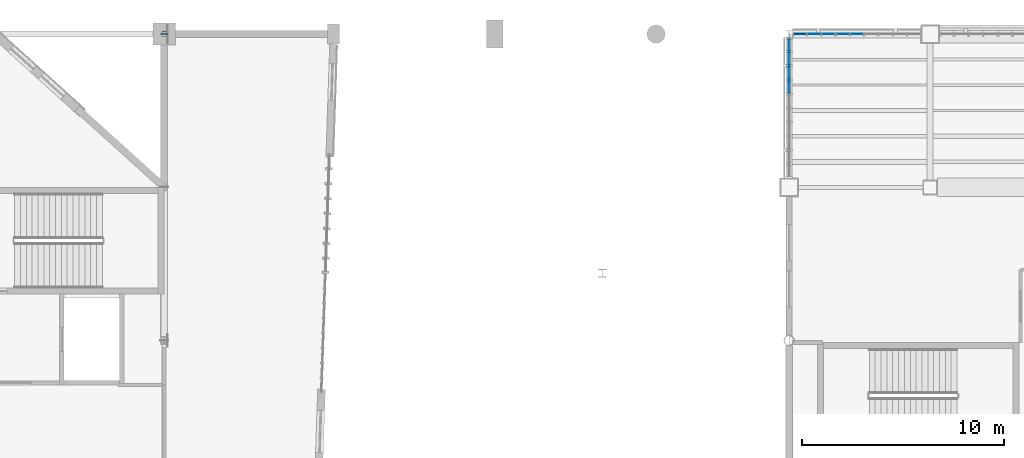
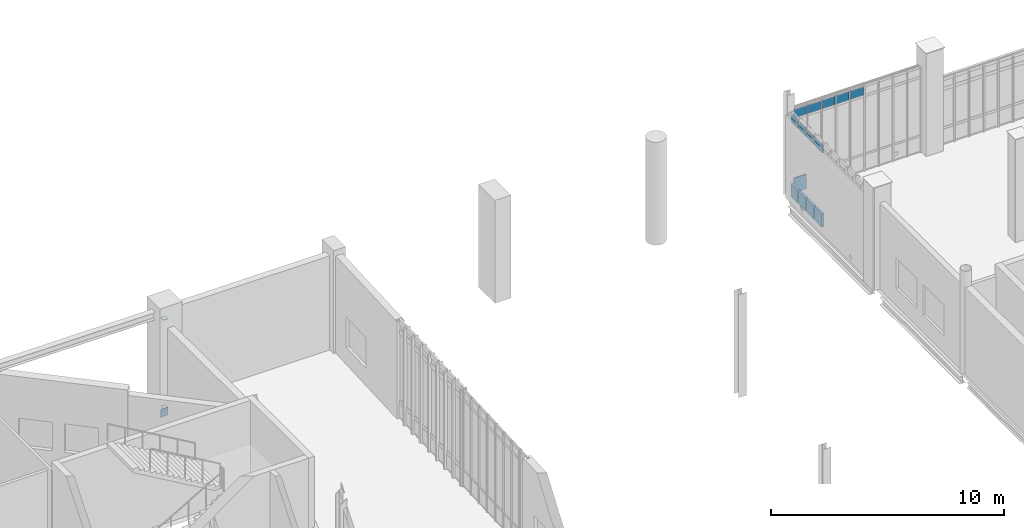
# One storey, part 102 of 127: 17 plates, 2 elements without a shape of their own.
"""IFC4 building model written with IfcOpenShell, lengths in metres."""

from ifc_helpers import new_model, si_unit, direction, frame, origin, origin_2d, place, context, subcontext, project, spatial, rectangle, extrude, material, layer, layer_set, type_object, element, aggregate, save


model = new_model("IFC4")

# Units and contexts
model_context = context("Model", 3, precision=1e-05, world=origin(), true_north=direction((0.0, 1.0)))
body_context = subcontext(model_context, "Body", "Model", "MODEL_VIEW")
ifc_project = project(units=[si_unit("LENGTHUNIT", "METRE"), si_unit("AREAUNIT", "SQUARE_METRE"), si_unit("VOLUMEUNIT", "CUBIC_METRE"), si_unit("PLANEANGLEUNIT", "RADIAN"), si_unit("MASSUNIT", "GRAM", prefix="KILO")], contexts=[model_context])

# Site, building, storey
site_placement = place(None, origin())
site = spatial("IfcSite", under=ifc_project, at=site_placement, CompositionType="ELEMENT")
building_placement = place(site_placement, origin())
building = spatial("IfcBuilding", under=site, at=building_placement, Name="Larkvane Passage Sports Hall", CompositionType="ELEMENT")
storey_placement = place(building_placement, frame((0.0, 0.0, 5.39990234375)))
storey = spatial("IfcBuildingStorey", under=building, at=storey_placement, Name="L01", CompositionType="ELEMENT", Elevation=5.39990234375)

# Curtain wall, plates
ifc_material_1 = material(Name="Thermally broken aluminium and low-E glazing", Category="aluminium")
curtain_wall_type_1 = type_object("IfcCurtainWallType", Name="CW-CLINIC", PredefinedType="USERDEFINED", material=ifc_material_1)
curtain_wall_1_placement = place(storey_placement, origin())
curtain_wall_1 = element("IfcCurtainWall", 1, at=curtain_wall_1_placement, inside=storey, type_object=curtain_wall_type_1, Name="Curtain wall CW5-L01-051", ObjectType="UNITISED CURTAIN WALL", PredefinedType="USERDEFINED")
ifc_material_2 = material(Name="Deep insulated facade spandrel panel")
ifc_layer_1 = layer(ifc_material_2, 0.125)
ifc_layer_set_1 = layer_set([ifc_layer_1], Name="Deep insulated facade spandrel panel")
plate_type_1 = type_object("IfcPlateType", Name="CWP-SPD-125", PredefinedType="CURTAIN_PANEL", material=ifc_layer_set_1)
plate_1_placement = place(storey_placement, frame((124.60009765625, 96.5849609375, 0.10009765625), z_axis=(0.0, 0.0, 1.0), x_axis=(0.0, 1.0, 0.0)))
plate_1 = element("IfcPlate", 2, at=plate_1_placement, type_object=plate_type_1, Name="CW-05 panel 7.1", PredefinedType="CURTAIN_PANEL", context=body_context, shape_type="SweptSolid", body=[
    extrude(rectangle(XDim=0.598388671875, YDim=0.125, at=origin_2d()), origin(), (0.0, 0.0, 1.0), 0.699951171875),
])
plate_2_placement = place(storey_placement, frame((124.60009765625, 97.283203125, 0.10009765625), z_axis=(0.0, 0.0, 1.0), x_axis=(0.0, 1.0, 0.0)))
plate_2 = element("IfcPlate", 3, at=plate_2_placement, type_object=plate_type_1, Name="CW-05 panel 8.1", PredefinedType="CURTAIN_PANEL", context=body_context, shape_type="SweptSolid", body=[
    extrude(rectangle(XDim=0.598388671875, YDim=0.125, at=origin_2d()), origin(), (0.0, 0.0, 1.0), 0.699951171875),
])
plate_3_placement = place(storey_placement, frame((124.60009765625, 97.9814453125, 0.10009765625), z_axis=(0.0, 0.0, 1.0), x_axis=(0.0, 1.0, 0.0)))
plate_3 = element("IfcPlate", 4, at=plate_3_placement, type_object=plate_type_1, Name="CW-05 panel 9.1", PredefinedType="CURTAIN_PANEL", context=body_context, shape_type="SweptSolid", body=[
    extrude(rectangle(XDim=0.598388671875, YDim=0.125, at=origin_2d()), origin(), (0.0, 0.0, 1.0), 0.699951171875),
])
plate_4_placement = place(storey_placement, frame((124.60009765625, 98.65478515625, 0.10009765625), z_axis=(0.0, 0.0, 1.0), x_axis=(0.0, 1.0, 0.0)))
plate_4 = element("IfcPlate", 5, at=plate_4_placement, type_object=plate_type_1, Name="CW-05 panel 10.1", PredefinedType="CURTAIN_PANEL", context=body_context, shape_type="SweptSolid", body=[
    extrude(rectangle(XDim=0.54833984375, YDim=0.125, at=origin_2d()), origin(), (0.0, 0.0, 1.0), 0.699951171875),
])

curtain_wall_type_2 = type_object("IfcCurtainWallType", Name="CW-UNIT-COURT", PredefinedType="USERDEFINED", material=ifc_material_1)
curtain_wall_2_placement = place(storey_placement, origin())
curtain_wall_2 = element("IfcCurtainWall", 6, at=curtain_wall_2_placement, inside=storey, type_object=curtain_wall_type_2, Name="Curtain wall CW5-L01-052", ObjectType="UNITISED CURTAIN WALL", PredefinedType="USERDEFINED")
ifc_material_3 = material(Name="Insulated aluminium spandrel panel", Category="aluminium")
ifc_layer_2 = layer(ifc_material_3, 0.06494140625)
ifc_layer_set_2 = layer_set([ifc_layer_2], Name="Insulated aluminium spandrel panel")
plate_type_2 = type_object("IfcPlateType", Name="CWP-SPD-65", PredefinedType="CURTAIN_PANEL", material=ifc_layer_set_2)
plate_5_placement = place(storey_placement, frame((125.140625, 99.199951171875, 0.06005859375), z_axis=(0.0, 0.0, 1.0), x_axis=(1.0, 0.0, 0.0)))
plate_5 = element("IfcPlate", 7, at=plate_5_placement, type_object=plate_type_2, Name="CW-01 panel 1.1", PredefinedType="CURTAIN_PANEL", context=body_context, shape_type="SweptSolid", body=[
    extrude(rectangle(XDim=0.619140625, YDim=0.06494140625, at=origin_2d()), origin(), (0.0, 0.0, 1.0), 0.760009765625),
])
ifc_material_4 = material(Name="Solar-control low-E double glazing", Category="glass")
ifc_layer_3 = layer(ifc_material_4, 0.028076171875)
ifc_layer_set_3 = layer_set([ifc_layer_3], Name="Solar-control low-E double glazing")
plate_type_3 = type_object("IfcPlateType", Name="CWP-VIS-28", PredefinedType="CURTAIN_PANEL", material=ifc_layer_set_3)
plate_6_placement = place(storey_placement, frame((125.140625, 99.199951171875, 3.960205078125), z_axis=(0.0, 0.0, 1.0), x_axis=(1.0, 0.0, 0.0)))
plate_6 = element("IfcPlate", 8, at=plate_6_placement, type_object=plate_type_3, Name="CW-01 panel 1.3", PredefinedType="CURTAIN_PANEL", context=body_context, shape_type="SweptSolid", body=[
    extrude(rectangle(XDim=0.619140625, YDim=0.028076171875, at=origin_2d()), origin(), (0.0, 0.0, 1.0), 0.4599609375),
])
plate_7_placement = place(storey_placement, frame((125.834716796875, 99.199951171875, 3.960205078125), z_axis=(0.0, 0.0, 1.0), x_axis=(1.0, 0.0, 0.0)))
plate_7 = element("IfcPlate", 9, at=plate_7_placement, type_object=plate_type_3, Name="CW-01 panel 2.3", PredefinedType="CURTAIN_PANEL", context=body_context, shape_type="SweptSolid", body=[
    extrude(rectangle(XDim=0.649169921875, YDim=0.028076171875, at=origin_2d()), origin(), (0.0, 0.0, 1.0), 0.4599609375),
])
plate_8_placement = place(storey_placement, frame((126.5439453125, 99.199951171875, 3.960205078125), z_axis=(0.0, 0.0, 1.0), x_axis=(1.0, 0.0, 0.0)))
plate_8 = element("IfcPlate", 10, at=plate_8_placement, type_object=plate_type_3, Name="CW-01 panel 3.3", PredefinedType="CURTAIN_PANEL", context=body_context, shape_type="SweptSolid", body=[
    extrude(rectangle(XDim=0.649169921875, YDim=0.028076171875, at=origin_2d()), origin(), (0.0, 0.0, 1.0), 0.4599609375),
])
plate_9_placement = place(storey_placement, frame((127.253173828125, 99.199951171875, 3.960205078125), z_axis=(0.0, 0.0, 1.0), x_axis=(1.0, 0.0, 0.0)))
plate_9 = element("IfcPlate", 11, at=plate_9_placement, type_object=plate_type_3, Name="CW-01 panel 4.3", PredefinedType="CURTAIN_PANEL", context=body_context, shape_type="SweptSolid", body=[
    extrude(rectangle(XDim=0.649169921875, YDim=0.028076171875, at=origin_2d()), origin(), (0.0, 0.0, 1.0), 0.4599609375),
])
plate_10_placement = place(storey_placement, frame((127.96240234375, 99.199951171875, 3.960205078125), z_axis=(0.0, 0.0, 1.0), x_axis=(1.0, 0.0, 0.0)))
plate_10 = element("IfcPlate", 12, at=plate_10_placement, type_object=plate_type_3, Name="CW-01 panel 5.3", PredefinedType="CURTAIN_PANEL", context=body_context, shape_type="SweptSolid", body=[
    extrude(rectangle(XDim=0.649169921875, YDim=0.028076171875, at=origin_2d()), origin(), (0.0, 0.0, 1.0), 0.4599609375),
])
aggregate(curtain_wall_2, [plate_5, plate_6, plate_7, plate_8, plate_9, plate_10])

# Plate
ifc_material_5 = material(Name="Triple-laminated typhoon glazing", Category="glass")
ifc_layer_4 = layer(ifc_material_5, 0.0419921875)
ifc_layer_set_4 = layer_set([ifc_layer_4], Name="Triple-laminated typhoon glazing")
plate_type_4 = type_object("IfcPlateType", Name="CWP-VIS-42", PredefinedType="CURTAIN_PANEL", material=ifc_layer_set_4)
plate_11_placement = place(storey_placement, frame((124.60009765625, 96.5849609375, 3.980224609375), z_axis=(0.0, 0.0, 1.0), x_axis=(0.0, 1.0, 0.0)))
plate_11 = element("IfcPlate", 13, at=plate_11_placement, type_object=plate_type_4, Name="CW-05 panel 7.3", PredefinedType="CURTAIN_PANEL", context=body_context, shape_type="SweptSolid", body=[
    extrude(rectangle(XDim=0.598388671875, YDim=0.0419921875, at=origin_2d()), origin(), (0.0, 0.0, 1.0), 0.39990234375),
])

plate_12_placement = place(storey_placement, frame((124.60009765625, 97.283203125, 3.980224609375), z_axis=(0.0, 0.0, 1.0), x_axis=(0.0, 1.0, 0.0)))
plate_12 = element("IfcPlate", 14, at=plate_12_placement, type_object=plate_type_4, Name="CW-05 panel 8.3", PredefinedType="CURTAIN_PANEL", context=body_context, shape_type="SweptSolid", body=[
    extrude(rectangle(XDim=0.598388671875, YDim=0.0419921875, at=origin_2d()), origin(), (0.0, 0.0, 1.0), 0.39990234375),
])

plate_13_placement = place(storey_placement, frame((124.60009765625, 97.9814453125, 3.980224609375), z_axis=(0.0, 0.0, 1.0), x_axis=(0.0, 1.0, 0.0)))
plate_13 = element("IfcPlate", 15, at=plate_13_placement, type_object=plate_type_4, Name="CW-05 panel 9.3", PredefinedType="CURTAIN_PANEL", context=body_context, shape_type="SweptSolid", body=[
    extrude(rectangle(XDim=0.598388671875, YDim=0.0419921875, at=origin_2d()), origin(), (0.0, 0.0, 1.0), 0.39990234375),
])

plate_14_placement = place(storey_placement, frame((124.60009765625, 98.65478515625, 3.980224609375), z_axis=(0.0, 0.0, 1.0), x_axis=(0.0, 1.0, 0.0)))
plate_14 = element("IfcPlate", 16, at=plate_14_placement, type_object=plate_type_4, Name="CW-05 panel 10.3", PredefinedType="CURTAIN_PANEL", context=body_context, shape_type="SweptSolid", body=[
    extrude(rectangle(XDim=0.54833984375, YDim=0.0419921875, at=origin_2d()), origin(), (0.0, 0.0, 1.0), 0.39990234375),
])

aggregate(curtain_wall_1, [plate_1, plate_11, plate_2, plate_12, plate_3, plate_13, plate_4, plate_14])

# Plates
ifc_material_6 = material(Name="Steel S355JR", Category="steel")
ifc_layer_5 = layer(ifc_material_6, 0.011962890625)
ifc_layer_set_5 = layer_set([ifc_layer_5], Name="Steel S355JR")
plate_type_5 = type_object("IfcPlateType", Name="PLT-CAP-12", PredefinedType="SHEET", material=ifc_layer_set_5)
for number, where, z_axis, x_axis, name in (
    (17, (93.60009765625, 99.199951171875, -0.24169921875), (0.0, 0.0, 1.0), (1.0, 0.0, 0.0), "Hollow section sealed end cap plate 0134"),
    (18, (93.60009765625, 99.199951171875, 4.39208984375), (0.0, 0.0, 1.0), (1.0, 0.0, 0.0), "Hollow section sealed end cap plate 0135"),
):
    element("IfcPlate", number, at=place(storey_placement, frame(where, z_axis=z_axis, x_axis=x_axis)), inside=storey, type_object=plate_type_5, Name=name, PredefinedType="SHEET", context=body_context, shape_type="SweptSolid", body=[
        extrude(rectangle(XDim=0.239990234375, YDim=0.239990234375, at=origin_2d()), origin(), (0.0, 0.0, 1.0), 0.011962890625),
    ])
ifc_material_7 = material(Name="Steel S460N", Category="steel")
ifc_layer_6 = layer(ifc_material_7, 0.02001953125)
ifc_layer_set_6 = layer_set([ifc_layer_6], Name="Steel S460N")
plate_type_6 = type_object("IfcPlateType", Name="PLT-CAP-20", PredefinedType="SHEET", material=ifc_layer_set_6)
plate_15_placement = place(storey_placement, frame((93.60009765625, 99.208251953125, -0.74169921875), z_axis=(0.0, 0.0, 1.0), x_axis=(-1.0, 0.0, 0.0)))
element("IfcPlate", 19, at=plate_15_placement, inside=storey, type_object=plate_type_6, Name="Hollow section sealed end cap plate 0133", PredefinedType="SHEET", context=body_context, shape_type="SweptSolid", body=[
    extrude(rectangle(XDim=0.360107421875, YDim=0.028076171875, at=origin_2d()), origin(), (0.0, 0.0, 1.0), 0.424072265625),
])

save(model, "model.ifc")
